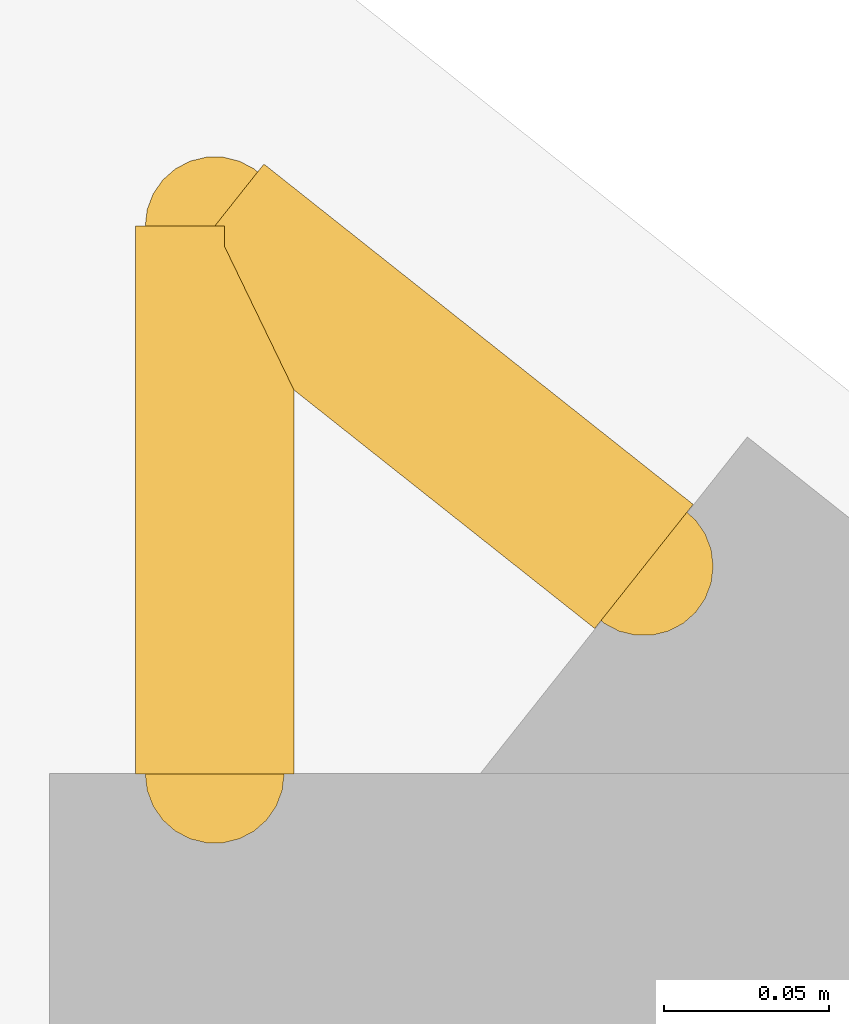
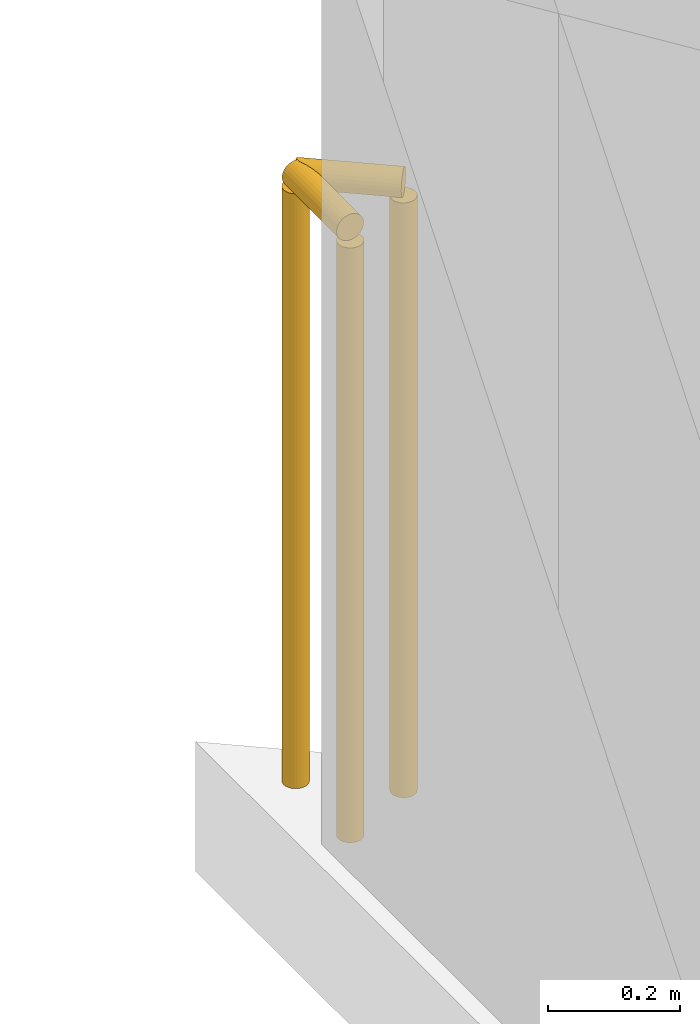
# One storey, part 17 of 17: 2 railings.
"""IFC4 building model written with IfcOpenShell, lengths in metres."""

from ifc_helpers import new_model, si_unit, direction, frame, origin, origin_2d, place, context, subcontext, project, spatial, circle, extrude, material, type_object, element, save


model = new_model("IFC4")

# Units and contexts
model_context = context("Model", 3, precision=1e-05, world=origin(), true_north=direction((0.0, 1.0)))
body_context = subcontext(model_context, "Body", "Model", "MODEL_VIEW")
ifc_project = project(units=[si_unit("LENGTHUNIT", "METRE"), si_unit("AREAUNIT", "SQUARE_METRE"), si_unit("VOLUMEUNIT", "CUBIC_METRE"), si_unit("PLANEANGLEUNIT", "RADIAN"), si_unit("MASSUNIT", "GRAM", prefix="KILO")], contexts=[model_context])

# Site, building, storey
site_placement = place(None, origin())
site = spatial("IfcSite", under=ifc_project, at=site_placement, CompositionType="ELEMENT")
building_placement = place(site_placement, origin())
building = spatial("IfcBuilding", under=site, at=building_placement, Name="Varnakote Quay Hospital", CompositionType="ELEMENT")
storey_placement = place(building_placement, frame((0.0, 0.0, 256.550048828125)))
storey = spatial("IfcBuildingStorey", under=building, at=storey_placement, Name="L63", CompositionType="ELEMENT", Elevation=256.550048828125)

# Railings
ifc_material = material(Name="Anodised aluminium 6063-T6 Bronze", Category="aluminium")
railing_type = type_object("IfcRailingType", Name="RLG-EXT-GUARD-1150", PredefinedType="GUARDRAIL", material=ifc_material)
railing_1_placement = place(storey_placement, frame((2.47998046875, 41.268798828125, 0.0)))
element("IfcRailing", 1, at=railing_1_placement, inside=storey, type_object=railing_type, Name="L63 Slab Edge Perimeter Safety Guard", PredefinedType="GUARDRAIL", context=body_context, shape_type="SweptSolid", body=[
    extrude(circle(Radius=0.02392578125, at=origin_2d()), frame((0.0, 0.0, 1.1259765625), z_axis=(0.0, 1.0, 0.0), x_axis=(-1.0, 0.0, 0.0)), (0.0, 0.0, 1.0), 0.16552734375),
    extrude(circle(Radius=0.02099609375, at=origin_2d()), origin(), (0.0, 0.0, 1.0), 1.101806640625),
    extrude(circle(Radius=0.02099609375, at=origin_2d()), frame((0.0, 0.16552734375, 0.0)), (0.0, 0.0, 1.0), 1.101806640625),
])
railing_2_placement = place(storey_placement, frame((2.47998046875, 41.434326171875, 0.0)))
element("IfcRailing", 2, at=railing_2_placement, inside=storey, type_object=railing_type, Name="L63 Slab Edge Perimeter Safety Guard", PredefinedType="GUARDRAIL", context=body_context, shape_type="SweptSolid", body=[
    extrude(circle(Radius=0.02392578125, at=origin_2d()), frame((0.0, 0.0, 1.1259765625), z_axis=(0.783596767237, -0.621269753308, 0.0), x_axis=(0.621269753308, 0.783596767237, 0.0)), (0.0, 0.0, 1.0), 0.16552734375),
    extrude(circle(Radius=0.02099609375, at=origin_2d()), origin(), (0.0, 0.0, 1.0), 1.101806640625),
    extrude(circle(Radius=0.02099609375, at=origin_2d()), frame((0.129638671875, -0.102783203125, 0.0)), (0.0, 0.0, 1.0), 1.101806640625),
])

save(model, "model.ifc")
